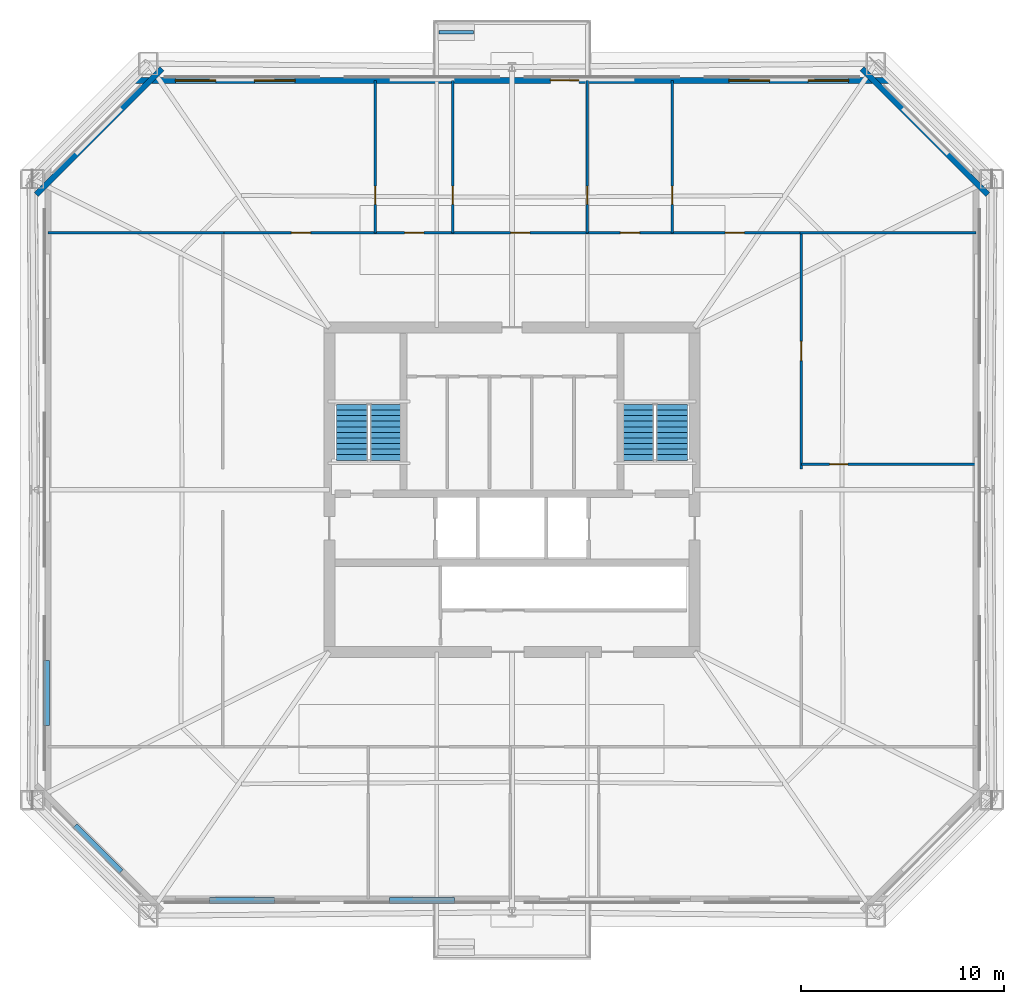
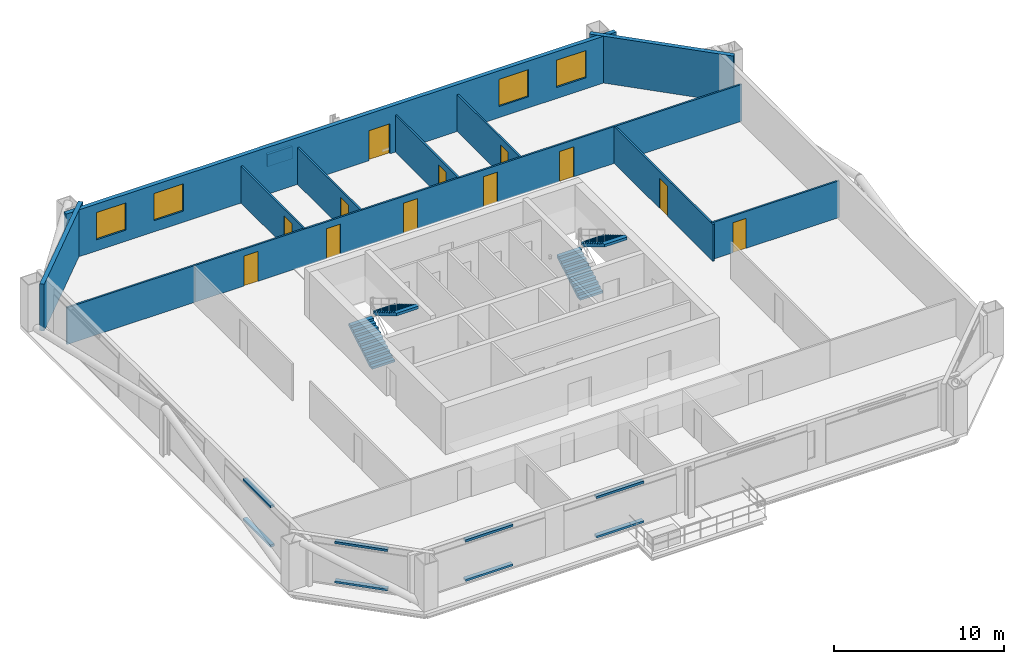
# One storey, part 4 of 7: 13 walls, 12 doors, 8 discrete accessories, 4 stair flights, 4 windows, 16 openings, 2 elements without a shape of their own.
"""IFC4 building model written with IfcOpenShell, lengths in metres."""

import ifcopenshell
import ifcopenshell.guid

model = None  # the IFC model being written
_history = None  # IfcOwnerHistory: only IFC2X3 demands one
_inside = {}  # id of a spatial element -> (the spatial element, [elements in it])
_under = {}  # id of a project, library or spatial element -> (it, [spatial elements below it])
_declared = {}  # id of a project -> (the project, [libraries it declares])
_typed = {}  # id of a type object -> (the type object, [elements of that type])
_made_of = {}  # id of a material, layer set ... -> (it, [elements and type objects made of it])


def new_model(schema):
    """Start an empty IFC model of exactly this schema.

    Asked for "IFC4X3", IfcOpenShell would pick the latest addendum, in which some entities
    have other attributes; the version numbers below select the first issue.
    IFC2X3 requires an IfcOwnerHistory on every rooted entity: one is made here for all.
    """
    global model, _history
    if schema == "IFC4X3":
        model = ifcopenshell.file(schema_version=(4, 3, 0, 0))
    else:
        model = ifcopenshell.file(schema=schema)
    _inside.clear()
    _under.clear()
    _declared.clear()
    _typed.clear()
    _made_of.clear()
    _history = None
    if model.schema == "IFC2X3":
        org = make("IfcOrganization", Name="unknown")
        user = make(
            "IfcPersonAndOrganization",
            ThePerson=make("IfcPerson", FamilyName="unknown"),
            TheOrganization=org,
        )
        app = make(
            "IfcApplication",
            ApplicationDeveloper=org,
            Version="unknown",
            ApplicationFullName="unknown",
            ApplicationIdentifier="unknown",
        )
        _history = make(
            "IfcOwnerHistory",
            OwningUser=user,
            OwningApplication=app,
            ChangeAction="ADDED",
            CreationDate=0,
        )
    return model


def make(cls, **values):
    """One entity of the class cls with the attributes given. An attribute that is None is left unset."""
    return model.create_entity(
        cls, **{name: value for name, value in values.items() if value is not None}
    )


def rooted(cls, **values):
    """An entity with a GlobalId (a new one), such as an element, a storey or a relation."""
    return make(cls, GlobalId=ifcopenshell.guid.new(), OwnerHistory=_history, **values)


def si_unit(unit_type, name, prefix=None):
    """IfcSIUnit, for example si_unit("LENGTHUNIT", "METRE", prefix="MILLI")."""
    return make("IfcSIUnit", UnitType=unit_type, Prefix=prefix, Name=name)


def assignment(units):
    """IfcUnitAssignment: the units of a project."""
    return None if units is None else make("IfcUnitAssignment", Units=units)


def point(xyz):
    """IfcCartesianPoint."""
    return None if xyz is None else make("IfcCartesianPoint", Coordinates=xyz)


def direction(xyz):
    """IfcDirection."""
    return None if xyz is None else make("IfcDirection", DirectionRatios=xyz)


def frame(location, z_axis=None, x_axis=None):
    """IfcAxis2Placement3D, a coordinate frame: its origin and axes. An axis left out is left unset."""
    return make(
        "IfcAxis2Placement3D",
        Location=point(location),
        Axis=direction(z_axis),
        RefDirection=direction(x_axis),
    )


def frame_2d(location, x_axis=None):
    """IfcAxis2Placement2D, a coordinate frame in the plane: its origin and x axis."""
    return make(
        "IfcAxis2Placement2D", Location=point(location), RefDirection=direction(x_axis)
    )


def origin():
    """The frame at (0, 0, 0) with its axes left unset."""
    return frame((0.0, 0.0, 0.0))


def origin_2d():
    """The frame at (0, 0) in the plane with its x axis left unset."""
    return frame_2d((0.0, 0.0))


def place(relative_to, where):
    """IfcLocalPlacement: puts the frame where relative to a parent placement (None: the world)."""
    return make(
        "IfcLocalPlacement", PlacementRelTo=relative_to, RelativePlacement=where
    )


def context(
    kind, dimensions, precision=None, world=None, true_north=None, identifier=None
):
    """IfcGeometricRepresentationContext, for example the 3D "Model" context."""
    return make(
        "IfcGeometricRepresentationContext",
        ContextIdentifier=identifier,
        ContextType=kind,
        CoordinateSpaceDimension=dimensions,
        Precision=precision,
        WorldCoordinateSystem=world,
        TrueNorth=true_north,
    )


def subcontext(parent, identifier, kind, view, scale=None):
    """IfcGeometricRepresentationSubContext, for example "Body" below "Model"."""
    return make(
        "IfcGeometricRepresentationSubContext",
        ContextIdentifier=identifier,
        ContextType=kind,
        ParentContext=parent,
        TargetScale=scale,
        TargetView=view,
    )


def project(units=None, contexts=None):
    """IfcProject with its units and contexts."""
    return rooted(
        "IfcProject",
        Name="project",
        RepresentationContexts=contexts,
        UnitsInContext=assignment(units),
    )


def spatial(cls, under=None, at=None, **own):
    """A site, building, storey or space (cls), placed at a placement, below another one or the project."""
    s = rooted(cls, ObjectPlacement=at, **own)
    if under is not None:
        _under.setdefault(under.id(), (under, []))[1].append(s)
    return s


def polyline(points):
    """IfcPolyline through the points."""
    return make("IfcPolyline", Points=[point(p) for p in points])


def profile(cls, at=None, kind="AREA", **sizes):
    """A parametric profile (cls). Its sizes go by their IFC names, for example OverallWidth=200.0."""
    return make(cls, ProfileType=kind, Position=at, **sizes)


def rectangle(**sizes):
    """IfcRectangleProfileDef."""
    return profile("IfcRectangleProfileDef", **sizes)


def outline(outer, holes=None, kind="AREA"):
    """IfcArbitraryClosedProfileDef: a profile drawn as a closed curve; with holes, ...WithVoids."""
    if holes is None:
        return make("IfcArbitraryClosedProfileDef", ProfileType=kind, OuterCurve=outer)
    return make(
        "IfcArbitraryProfileDefWithVoids",
        ProfileType=kind,
        OuterCurve=outer,
        InnerCurves=holes,
    )


def extrude(swept, where, along, depth):
    """IfcExtrudedAreaSolid: the profile swept, set in the frame where, extruded along a direction by depth."""
    return make(
        "IfcExtrudedAreaSolid",
        SweptArea=swept,
        Position=where,
        ExtrudedDirection=direction(along),
        Depth=depth,
    )


def shape(context_of_items, identifier, shape_type, items):
    """IfcShapeRepresentation: the items that make up one representation, for example the "Body"."""
    return make(
        "IfcShapeRepresentation",
        ContextOfItems=context_of_items,
        RepresentationIdentifier=identifier,
        RepresentationType=shape_type,
        Items=items,
    )


def material(Name=None, Category=None):
    """IfcMaterial."""
    return make("IfcMaterial", Name=Name, Category=Category)


def layer(
    of_material, thickness, ventilated=None, Name=None, Category=None, Priority=None
):
    """IfcMaterialLayer: one layer of a wall or slab, of a material (None: an air gap)."""
    return make(
        "IfcMaterialLayer",
        Material=of_material,
        LayerThickness=thickness,
        IsVentilated=ventilated,
        Name=Name,
        Category=Category,
        Priority=Priority,
    )


def layer_set(layers, Name=None):
    """IfcMaterialLayerSet."""
    return make("IfcMaterialLayerSet", MaterialLayers=layers, LayerSetName=Name)


def made_of(thing, what):
    """Note that an element or type object is made of a material, layer set ...; save() writes the relation."""
    if what is not None:
        _made_of.setdefault(what.id(), (what, []))[1].append(thing)
    return thing


def type_object(cls, material=None, **own):
    """A type object (cls), such as IfcWallType, which elements share."""
    return made_of(rooted(cls, **own), material)


def element(
    cls,
    number,
    at=None,
    inside=None,
    cuts=None,
    type_object=None,
    material=None,
    context=None,
    identifier="Body",
    shape_type=None,
    held_by="IfcProductDefinitionShape",
    body=None,
    shapes=None,
    **own,
):
    """One element of the class cls, such as IfcWall. Its Tag is "e" and its number.

    at: its placement. inside: the storey or other place that contains it. cuts: it is an
    opening in that element (IfcRelVoidsElement). A single representation is given by context,
    identifier, shape_type and body (its items); several are given by shapes. held_by: the class
    of the entity that holds the representations. save() writes the other relations.
    """
    e = rooted(cls, Tag="e%d" % number, ObjectPlacement=at, **own)
    if body is not None:
        shapes = [shape(context, identifier, shape_type, body)]
    if shapes is not None:
        e.Representation = make(held_by, Representations=shapes)
    if inside is not None:
        _inside.setdefault(inside.id(), (inside, []))[1].append(e)
    if cuts is not None:
        rooted(
            "IfcRelVoidsElement", RelatingBuildingElement=cuts, RelatedOpeningElement=e
        )
    if type_object is not None:
        _typed.setdefault(type_object.id(), (type_object, []))[1].append(e)
    return made_of(e, material)


def fill(opening, filler):
    """IfcRelFillsElement: the door or window that sits in an opening."""
    return rooted(
        "IfcRelFillsElement",
        RelatingOpeningElement=opening,
        RelatedBuildingElement=filler,
    )


def aggregate(whole, parts):
    """IfcRelAggregates: a whole, such as a stair, and the parts it consists of."""
    return rooted("IfcRelAggregates", RelatingObject=whole, RelatedObjects=parts)


def save(model, path):
    """Write the relations noted so far, then the file.

    IfcRelAggregates (storeys below a building ...), IfcRelContainedInSpatialStructure (elements
    in a storey), IfcRelDefinesByType, IfcRelAssociatesMaterial and IfcRelDeclares: one each for
    every whole, place, type object, material and project.
    """
    for whole, parts in _under.values():
        aggregate(whole, parts)
    for where, things in _inside.values():
        rooted(
            "IfcRelContainedInSpatialStructure",
            RelatedElements=things,
            RelatingStructure=where,
        )
    for kind, things in _typed.values():
        rooted("IfcRelDefinesByType", RelatedObjects=things, RelatingType=kind)
    for what, things in _made_of.values():
        rooted("IfcRelAssociatesMaterial", RelatedObjects=things, RelatingMaterial=what)
    for by, libraries in _declared.values():
        rooted("IfcRelDeclares", RelatingContext=by, RelatedDefinitions=libraries)
    model.write(path)


model = new_model("IFC4")

# Units and contexts
model_context = context("Model", 3, precision=1e-05, world=origin(), true_north=direction((0.0, 1.0)))
body_context = subcontext(model_context, "Body", "Model", "MODEL_VIEW")
ifc_project = project(units=[si_unit("LENGTHUNIT", "METRE"), si_unit("AREAUNIT", "SQUARE_METRE"), si_unit("VOLUMEUNIT", "CUBIC_METRE"), si_unit("PLANEANGLEUNIT", "RADIAN"), si_unit("MASSUNIT", "GRAM", prefix="KILO")], contexts=[model_context])

# Site, building, storey
site_placement = place(None, origin())
site = spatial("IfcSite", under=ifc_project, at=site_placement, CompositionType="ELEMENT")
building_placement = place(site_placement, origin())
building = spatial("IfcBuilding", under=site, at=building_placement, Name="Caelvoria Tower", CompositionType="ELEMENT")
storey_placement = place(building_placement, frame((0.0, 0.0, 106.0)))
storey = spatial("IfcBuildingStorey", under=building, at=storey_placement, Name="L27", CompositionType="ELEMENT", Elevation=106.0)

# Walls
ifc_material_1 = material(Name="Bronze-Clad Concrete C40/50", Category="concrete")
ifc_layer_1 = layer(ifc_material_1, 0.179931640625, Name="Bronze-Clad Concrete C40/50")
ifc_layer_set_1 = layer_set([ifc_layer_1], Name="Architectural Planter Kerb Wall 180 - Bronze-Clad Concrete C40/50")
wall_type_1 = type_object("IfcWallType", Name="Architectural Planter Kerb Wall 180", PredefinedType="PARAPET", material=ifc_layer_set_1)
wall_1_placement = place(storey_placement, frame((42.39990234375, 54.550048828125, 0.0), z_axis=(0.0, 0.0, 1.0), x_axis=(1.0, 0.0, 0.0)))
element("IfcWall", 1, at=wall_1_placement, inside=storey, type_object=wall_type_1, Name="Tree Balcony Planter Kerb PLANTER TB-L27-N", PredefinedType="PARAPET", context=body_context, shape_type="SweptSolid", body=[
    extrude(rectangle(XDim=1.7001953125, YDim=0.179931640625, at=frame_2d((0.85009765625, 0.0))), origin(), (0.0, 0.0, 1.0), 0.8798828125),
])
ifc_material_2 = material(Name="Precast Concrete C40/50 with Bronze Cladding", Category="concrete")
ifc_layer_2 = layer(ifc_material_2, 0.280029296875, Name="Precast Concrete C40/50 with Bronze Cladding")
ifc_layer_set_2 = layer_set([ifc_layer_2], Name="Exterior Precast Concrete C40/50 Bronze-Clad Facade Wall 280 - Precast Concrete C40/50 with Bronze Cladding")
wall_type_2 = type_object("IfcWallType", Name="Exterior Precast Concrete C40/50 Bronze-Clad Facade Wall 280", PredefinedType="STANDARD", material=ifc_layer_set_2)
wall_2_placement = place(storey_placement, frame((69.44384765625, 46.554443359375, 0.0), z_axis=(0.0, 0.0, 1.0), x_axis=(-0.707106781187, 0.707106781187, 0.0)))
element("IfcWall", 2, at=wall_2_placement, inside=storey, type_object=wall_type_2, Name="Exterior Facade Wall L27-E3", PredefinedType="STANDARD", context=body_context, shape_type="SweptSolid", body=[
    extrude(rectangle(XDim=8.753173828125, YDim=0.280029296875, at=frame_2d((4.37646484375, 0.0))), origin(), (0.0, 0.0, 1.0), 3.360107421875),
])

# Wall, openings, windows, door
wall_3_placement = place(storey_placement, frame((64.639892578125, 52.169921875, 0.0), z_axis=(0.0, 0.0, 1.0), x_axis=(-1.0, 0.0, 0.0)))
wall_3 = element("IfcWall", 3, at=wall_3_placement, inside=storey, type_object=wall_type_2, Name="Exterior Facade Wall L27-E4", PredefinedType="STANDARD", context=body_context, shape_type="SweptSolid", body=[
    extrude(rectangle(XDim=37.27978515625, YDim=0.280029296875, at=frame_2d((18.639892578125, 0.0))), origin(), (0.0, 0.0, 1.0), 3.360107421875),
])
opening_1_placement = place(wall_3_placement, frame((15.347412109375, 0.0, 0.0)))
opening_1 = element("IfcOpeningElement", 4, at=opening_1_placement, cuts=wall_3, Name="Opening ED-04", PredefinedType="OPENING", context=body_context, shape_type="SweptSolid", body=[
    extrude(rectangle(XDim=1.39990234375, YDim=2.14990234375, at=frame_2d((0.699951171875, 1.074951171875))), frame((0.0, 0.14990234375, 0.0), z_axis=(0.0, -1.0, 0.0), x_axis=(1.0, 0.0, 0.0)), (0.0, 0.0, 1.0), 0.300048828125),
])
opening_2_placement = place(wall_3_placement, frame((2.048828125, 0.0, 0.800048828125)))
opening_2 = element("IfcOpeningElement", 5, at=opening_2_placement, cuts=wall_3, Name="Opening WN-01", PredefinedType="OPENING", context=body_context, shape_type="SweptSolid", body=[
    extrude(rectangle(XDim=2.0, YDim=1.949951171875, at=frame_2d((1.0, 0.97509765625))), frame((0.0, 0.14990234375, 0.0), z_axis=(0.0, -1.0, 0.0), x_axis=(1.0, 0.0, 0.0)), (0.0, 0.0, 1.0), 0.300048828125),
])
opening_3_placement = place(wall_3_placement, frame((5.94677734375, 0.0, 0.800048828125)))
opening_3 = element("IfcOpeningElement", 6, at=opening_3_placement, cuts=wall_3, Name="Opening WN-01", PredefinedType="OPENING", context=body_context, shape_type="SweptSolid", body=[
    extrude(rectangle(XDim=2.0, YDim=1.949951171875, at=frame_2d((1.0, 0.97509765625))), frame((0.0, 0.14990234375, 0.0), z_axis=(0.0, -1.0, 0.0), x_axis=(1.0, 0.0, 0.0)), (0.0, 0.0, 1.0), 0.300048828125),
])
opening_4_placement = place(wall_3_placement, frame((29.333251953125, 0.0, 0.800048828125)))
opening_4 = element("IfcOpeningElement", 7, at=opening_4_placement, cuts=wall_3, Name="Opening WN-01", PredefinedType="OPENING", context=body_context, shape_type="SweptSolid", body=[
    extrude(rectangle(XDim=2.0, YDim=1.949951171875, at=frame_2d((1.0, 0.97509765625))), frame((0.0, 0.14990234375, 0.0), z_axis=(0.0, -1.0, 0.0), x_axis=(1.0, 0.0, 0.0)), (0.0, 0.0, 1.0), 0.300048828125),
])
opening_5_placement = place(wall_3_placement, frame((33.231201171875, 0.0, 0.800048828125)))
opening_5 = element("IfcOpeningElement", 8, at=opening_5_placement, cuts=wall_3, Name="Opening WN-01", PredefinedType="OPENING", context=body_context, shape_type="SweptSolid", body=[
    extrude(rectangle(XDim=2.0, YDim=1.949951171875, at=frame_2d((1.0, 0.97509765625))), frame((0.0, 0.14990234375, 0.0), z_axis=(0.0, -1.0, 0.0), x_axis=(1.0, 0.0, 0.0)), (0.0, 0.0, 1.0), 0.300048828125),
])
ifc_material_3 = material(Name="Low-E Tinted Glass in Bronze Aluminium Frame", Category="aluminium")
window_type = type_object("IfcWindowType", Name="Tower Office Vision Window 2000x1950", PartitioningType="SINGLE_PANEL", PredefinedType="WINDOW", material=ifc_material_3)
window_1_placement = place(opening_2_placement, origin())
window_1 = element("IfcWindow", 9, at=window_1_placement, inside=storey, type_object=window_type, Name="Facade Window L27-E4-00", OverallHeight=1.949951171875, OverallWidth=2.0, PartitioningType="SINGLE_PANEL", PredefinedType="WINDOW", context=body_context, shape_type="SweptSolid", body=[
    extrude(rectangle(XDim=2.0, YDim=1.949951171875, at=frame_2d((1.0, 0.97509765625))), frame((0.0, 0.030029296875, 0.0), z_axis=(0.0, -1.0, 0.0), x_axis=(1.0, 0.0, 0.0)), (0.0, 0.0, 1.0), 0.06005859375),
])
fill(opening_2, window_1)
window_2_placement = place(opening_3_placement, origin())
window_2 = element("IfcWindow", 10, at=window_2_placement, inside=storey, type_object=window_type, Name="Facade Window L27-E4-01", OverallHeight=1.949951171875, OverallWidth=2.0, PartitioningType="SINGLE_PANEL", PredefinedType="WINDOW", context=body_context, shape_type="SweptSolid", body=[
    extrude(rectangle(XDim=2.0, YDim=1.949951171875, at=frame_2d((1.0, 0.97509765625))), frame((0.0, 0.030029296875, 0.0), z_axis=(0.0, -1.0, 0.0), x_axis=(1.0, 0.0, 0.0)), (0.0, 0.0, 1.0), 0.06005859375),
])
fill(opening_3, window_2)
window_3_placement = place(opening_4_placement, origin())
window_3 = element("IfcWindow", 11, at=window_3_placement, inside=storey, type_object=window_type, Name="Facade Window L27-E4-07", OverallHeight=1.949951171875, OverallWidth=2.0, PartitioningType="SINGLE_PANEL", PredefinedType="WINDOW", context=body_context, shape_type="SweptSolid", body=[
    extrude(rectangle(XDim=2.0, YDim=1.949951171875, at=frame_2d((1.0, 0.97509765625))), frame((0.0, 0.030029296875, 0.0), z_axis=(0.0, -1.0, 0.0), x_axis=(1.0, 0.0, 0.0)), (0.0, 0.0, 1.0), 0.06005859375),
])
fill(opening_4, window_3)
window_4_placement = place(opening_5_placement, origin())
window_4 = element("IfcWindow", 12, at=window_4_placement, inside=storey, type_object=window_type, Name="Facade Window L27-E4-08", OverallHeight=1.949951171875, OverallWidth=2.0, PartitioningType="SINGLE_PANEL", PredefinedType="WINDOW", context=body_context, shape_type="SweptSolid", body=[
    extrude(rectangle(XDim=2.0, YDim=1.949951171875, at=frame_2d((1.0, 0.97509765625))), frame((0.0, 0.030029296875, 0.0), z_axis=(0.0, -1.0, 0.0), x_axis=(1.0, 0.0, 0.0)), (0.0, 0.0, 1.0), 0.06005859375),
])
fill(opening_5, window_4)
ifc_material_4 = material(Name="Anodised Bronze Aluminium and Laminated Glass", Category="aluminium")
door_type_1 = type_object("IfcDoorType", Name="Tree Balcony Glazed Door 1400x2150", OperationType="NOTDEFINED", PredefinedType="DOOR", material=ifc_material_4)
door_1_placement = place(opening_1_placement, origin())
door_1 = element("IfcDoor", 13, at=door_1_placement, inside=storey, type_object=door_type_1, Name="Tree Balcony Door L27-N", OperationType="SINGLE_SWING_RIGHT", OverallHeight=2.14990234375, OverallWidth=1.39990234375, PredefinedType="DOOR", context=body_context, shape_type="SweptSolid", body=[
    extrude(rectangle(XDim=1.39990234375, YDim=2.14990234375, at=frame_2d((0.699951171875, 1.074951171875))), frame((0.0, 0.02490234375, 0.0), z_axis=(0.0, -1.0, 0.0), x_axis=(1.0, 0.0, 0.0)), (0.0, 0.0, 1.0), 0.050048828125),
])
fill(opening_1, door_1)

# Wall
wall_4_placement = place(storey_placement, frame((28.74560546875, 52.743896484375, 0.0), z_axis=(0.0, 0.0, 1.0), x_axis=(-0.707106781187, -0.707106781187, 0.0)))
element("IfcWall", 14, at=wall_4_placement, inside=storey, type_object=wall_type_2, Name="Exterior Facade Wall L27-E5", PredefinedType="STANDARD", context=body_context, shape_type="SweptSolid", body=[
    extrude(rectangle(XDim=8.753173828125, YDim=0.280029296875, at=frame_2d((4.37646484375, 0.0))), origin(), (0.0, 0.0, 1.0), 3.360107421875),
])

# Wall, opening, door
ifc_material_5 = material(Name="Acoustic Gypsum Board on Light-Gauge Stud", Category="gypsum")
ifc_layer_3 = layer(ifc_material_5, 0.1201171875, Name="Acoustic Gypsum Board on Light-Gauge Stud")
ifc_layer_set_3 = layer_set([ifc_layer_3], Name="Tenant Suite Acoustic Partition Wall 120 - Acoustic Gypsum Board on Light-Gauge Stud")
wall_type_3 = type_object("IfcWallType", Name="Tenant Suite Acoustic Partition Wall 120", PredefinedType="PARTITIONING", material=ifc_layer_set_3)
wall_5_placement = place(storey_placement, frame((39.265625, 44.659912109375, 0.0), z_axis=(0.0, 0.0, 1.0), x_axis=(0.0, 1.0, 0.0)))
wall_5 = element("IfcWall", 15, at=wall_5_placement, inside=storey, type_object=wall_type_3, Name="Interior Partition IW-L27-ND-00-0", PredefinedType="PARTITIONING", context=body_context, shape_type="SweptSolid", body=[
    extrude(rectangle(XDim=7.510009765625, YDim=0.1201171875, at=frame_2d((3.7548828125, 0.0))), origin(), (0.0, 0.0, 1.0), 2.639892578125),
])
opening_6_placement = place(wall_5_placement, frame((1.39990234375, 0.0, 0.0)))
opening_6 = element("IfcOpeningElement", 16, at=opening_6_placement, cuts=wall_5, Name="Opening ID-06", PredefinedType="OPENING", context=body_context, shape_type="SweptSolid", body=[
    extrude(rectangle(XDim=0.89990234375, YDim=2.14990234375, at=frame_2d((0.449951171875, 1.074951171875))), frame((0.0, 0.070068359375, 0.0), z_axis=(0.0, -1.0, 0.0), x_axis=(1.0, 0.0, 0.0)), (0.0, 0.0, 1.0), 0.14013671875),
])
ifc_material_6 = material(Name="Engineered Andean Oak Veneer Door", Category="wood")
door_type_2 = type_object("IfcDoorType", Name="Interior Timber Door 900x2150", OperationType="NOTDEFINED", PredefinedType="DOOR", material=ifc_material_6)
door_2_placement = place(opening_6_placement, origin())
door_2 = element("IfcDoor", 17, at=door_2_placement, inside=storey, type_object=door_type_2, Name="Interior Door DR-L27-NM-00-0", OperationType="SINGLE_SWING_RIGHT", OverallHeight=2.14990234375, OverallWidth=0.89990234375, PredefinedType="DOOR", context=body_context, shape_type="SweptSolid", body=[
    extrude(rectangle(XDim=0.89990234375, YDim=2.14990234375, at=frame_2d((0.449951171875, 1.074951171875))), frame((0.0, 0.02490234375, 0.0), z_axis=(0.0, -1.0, 0.0), x_axis=(1.0, 0.0, 0.0)), (0.0, 0.0, 1.0), 0.050048828125),
])
fill(opening_6, door_2)

wall_6_placement = place(storey_placement, frame((43.087158203125, 44.659912109375, 0.0), z_axis=(0.0, 0.0, 1.0), x_axis=(0.0, 1.0, 0.0)))
wall_6 = element("IfcWall", 18, at=wall_6_placement, inside=storey, type_object=wall_type_3, Name="Interior Partition IW-L27-ND-01-0", PredefinedType="PARTITIONING", context=body_context, shape_type="SweptSolid", body=[
    extrude(rectangle(XDim=7.510009765625, YDim=0.1201171875, at=frame_2d((3.7548828125, 0.0))), origin(), (0.0, 0.0, 1.0), 2.639892578125),
])
opening_7_placement = place(wall_6_placement, frame((1.39990234375, 0.0, 0.0)))
opening_7 = element("IfcOpeningElement", 19, at=opening_7_placement, cuts=wall_6, Name="Opening ID-06", PredefinedType="OPENING", context=body_context, shape_type="SweptSolid", body=[
    extrude(rectangle(XDim=0.89990234375, YDim=2.14990234375, at=frame_2d((0.449951171875, 1.074951171875))), frame((0.0, 0.070068359375, 0.0), z_axis=(0.0, -1.0, 0.0), x_axis=(1.0, 0.0, 0.0)), (0.0, 0.0, 1.0), 0.14013671875),
])
door_3_placement = place(opening_7_placement, origin())
door_3 = element("IfcDoor", 20, at=door_3_placement, inside=storey, type_object=door_type_2, Name="Interior Door DR-L27-NM-01-0", OperationType="SINGLE_SWING_LEFT", OverallHeight=2.14990234375, OverallWidth=0.89990234375, PredefinedType="DOOR", context=body_context, shape_type="SweptSolid", body=[
    extrude(rectangle(XDim=0.89990234375, YDim=2.14990234375, at=frame_2d((0.449951171875, 1.074951171875))), frame((0.0, 0.02490234375, 0.0), z_axis=(0.0, -1.0, 0.0), x_axis=(1.0, 0.0, 0.0)), (0.0, 0.0, 1.0), 0.050048828125),
])
fill(opening_7, door_3)

wall_7_placement = place(storey_placement, frame((49.716796875, 44.659912109375, 0.0), z_axis=(0.0, 0.0, 1.0), x_axis=(0.0, 1.0, 0.0)))
wall_7 = element("IfcWall", 21, at=wall_7_placement, inside=storey, type_object=wall_type_3, Name="Interior Partition IW-L27-ND-02-0", PredefinedType="PARTITIONING", context=body_context, shape_type="SweptSolid", body=[
    extrude(rectangle(XDim=7.510009765625, YDim=0.1201171875, at=frame_2d((3.7548828125, 0.0))), origin(), (0.0, 0.0, 1.0), 2.639892578125),
])
opening_8_placement = place(wall_7_placement, frame((1.39990234375, 0.0, 0.0)))
opening_8 = element("IfcOpeningElement", 22, at=opening_8_placement, cuts=wall_7, Name="Opening ID-06", PredefinedType="OPENING", context=body_context, shape_type="SweptSolid", body=[
    extrude(rectangle(XDim=0.89990234375, YDim=2.14990234375, at=frame_2d((0.449951171875, 1.074951171875))), frame((0.0, 0.070068359375, 0.0), z_axis=(0.0, -1.0, 0.0), x_axis=(1.0, 0.0, 0.0)), (0.0, 0.0, 1.0), 0.14013671875),
])
door_4_placement = place(opening_8_placement, origin())
door_4 = element("IfcDoor", 23, at=door_4_placement, inside=storey, type_object=door_type_2, Name="Interior Door DR-L27-NM-02-0", OperationType="SINGLE_SWING_RIGHT", OverallHeight=2.14990234375, OverallWidth=0.89990234375, PredefinedType="DOOR", context=body_context, shape_type="SweptSolid", body=[
    extrude(rectangle(XDim=0.89990234375, YDim=2.14990234375, at=frame_2d((0.449951171875, 1.074951171875))), frame((0.0, 0.02490234375, 0.0), z_axis=(0.0, -1.0, 0.0), x_axis=(1.0, 0.0, 0.0)), (0.0, 0.0, 1.0), 0.050048828125),
])
fill(opening_8, door_4)

wall_8_placement = place(storey_placement, frame((53.906494140625, 44.659912109375, 0.0), z_axis=(0.0, 0.0, 1.0), x_axis=(0.0, 1.0, 0.0)))
wall_8 = element("IfcWall", 24, at=wall_8_placement, inside=storey, type_object=wall_type_3, Name="Interior Partition IW-L27-ND-03-0", PredefinedType="PARTITIONING", context=body_context, shape_type="SweptSolid", body=[
    extrude(rectangle(XDim=7.510009765625, YDim=0.1201171875, at=frame_2d((3.7548828125, 0.0))), origin(), (0.0, 0.0, 1.0), 2.639892578125),
])
opening_9_placement = place(wall_8_placement, frame((1.39990234375, 0.0, 0.0)))
opening_9 = element("IfcOpeningElement", 25, at=opening_9_placement, cuts=wall_8, Name="Opening ID-06", PredefinedType="OPENING", context=body_context, shape_type="SweptSolid", body=[
    extrude(rectangle(XDim=0.89990234375, YDim=2.14990234375, at=frame_2d((0.449951171875, 1.074951171875))), frame((0.0, 0.070068359375, 0.0), z_axis=(0.0, -1.0, 0.0), x_axis=(1.0, 0.0, 0.0)), (0.0, 0.0, 1.0), 0.14013671875),
])
door_5_placement = place(opening_9_placement, origin())
door_5 = element("IfcDoor", 26, at=door_5_placement, inside=storey, type_object=door_type_2, Name="Interior Door DR-L27-NM-03-0", OperationType="SINGLE_SWING_LEFT", OverallHeight=2.14990234375, OverallWidth=0.89990234375, PredefinedType="DOOR", context=body_context, shape_type="SweptSolid", body=[
    extrude(rectangle(XDim=0.89990234375, YDim=2.14990234375, at=frame_2d((0.449951171875, 1.074951171875))), frame((0.0, 0.02490234375, 0.0), z_axis=(0.0, -1.0, 0.0), x_axis=(1.0, 0.0, 0.0)), (0.0, 0.0, 1.0), 0.050048828125),
])
fill(opening_9, door_5)

# Wall, openings, doors
wall_9_placement = place(storey_placement, frame((31.800048828125, 44.659912109375, 0.0), z_axis=(0.0, 0.0, 1.0), x_axis=(1.0, 0.0, 0.0)))
wall_9 = element("IfcWall", 27, at=wall_9_placement, inside=storey, type_object=wall_type_3, Name="Interior Partition IW-L27-NCW-0", PredefinedType="PARTITIONING", context=body_context, shape_type="SweptSolid", body=[
    extrude(rectangle(XDim=28.39990234375, YDim=0.1201171875, at=frame_2d((14.199951171875, 0.0))), origin(), (0.0, 0.0, 1.0), 2.639892578125),
])
opening_10_placement = place(wall_9_placement, frame((3.327880859375, 0.0, 0.0)))
opening_10 = element("IfcOpeningElement", 28, at=opening_10_placement, cuts=wall_9, Name="Opening ID-05", PredefinedType="OPENING", context=body_context, shape_type="SweptSolid", body=[
    extrude(rectangle(XDim=0.949951171875, YDim=2.14990234375, at=frame_2d((0.47509765625, 1.074951171875))), frame((0.0, 0.070068359375, 0.0), z_axis=(0.0, -1.0, 0.0), x_axis=(1.0, 0.0, 0.0)), (0.0, 0.0, 1.0), 0.14013671875),
])
opening_11_placement = place(wall_9_placement, frame((8.9013671875, 0.0, 0.0)))
opening_11 = element("IfcOpeningElement", 29, at=opening_11_placement, cuts=wall_9, Name="Opening ID-05", PredefinedType="OPENING", context=body_context, shape_type="SweptSolid", body=[
    extrude(rectangle(XDim=0.949951171875, YDim=2.14990234375, at=frame_2d((0.47509765625, 1.074951171875))), frame((0.0, 0.070068359375, 0.0), z_axis=(0.0, -1.0, 0.0), x_axis=(1.0, 0.0, 0.0)), (0.0, 0.0, 1.0), 0.14013671875),
])
opening_12_placement = place(wall_9_placement, frame((14.126953125, 0.0, 0.0)))
opening_12 = element("IfcOpeningElement", 30, at=opening_12_placement, cuts=wall_9, Name="Opening ID-05", PredefinedType="OPENING", context=body_context, shape_type="SweptSolid", body=[
    extrude(rectangle(XDim=0.949951171875, YDim=2.14990234375, at=frame_2d((0.47509765625, 1.074951171875))), frame((0.0, 0.070068359375, 0.0), z_axis=(0.0, -1.0, 0.0), x_axis=(1.0, 0.0, 0.0)), (0.0, 0.0, 1.0), 0.14013671875),
])
opening_13_placement = place(wall_9_placement, frame((19.536865234375, 0.0, 0.0)))
opening_13 = element("IfcOpeningElement", 31, at=opening_13_placement, cuts=wall_9, Name="Opening ID-05", PredefinedType="OPENING", context=body_context, shape_type="SweptSolid", body=[
    extrude(rectangle(XDim=0.949951171875, YDim=2.14990234375, at=frame_2d((0.47509765625, 1.074951171875))), frame((0.0, 0.070068359375, 0.0), z_axis=(0.0, -1.0, 0.0), x_axis=(1.0, 0.0, 0.0)), (0.0, 0.0, 1.0), 0.14013671875),
])
opening_14_placement = place(wall_9_placement, frame((24.708251953125, 0.0, 0.0)))
opening_14 = element("IfcOpeningElement", 32, at=opening_14_placement, cuts=wall_9, Name="Opening ID-05", PredefinedType="OPENING", context=body_context, shape_type="SweptSolid", body=[
    extrude(rectangle(XDim=0.949951171875, YDim=2.14990234375, at=frame_2d((0.47509765625, 1.074951171875))), frame((0.0, 0.070068359375, 0.0), z_axis=(0.0, -1.0, 0.0), x_axis=(1.0, 0.0, 0.0)), (0.0, 0.0, 1.0), 0.14013671875),
])
door_type_3 = type_object("IfcDoorType", Name="Interior Timber Door 950x2150", OperationType="NOTDEFINED", PredefinedType="DOOR", material=ifc_material_6)
door_6_placement = place(opening_10_placement, origin())
door_6 = element("IfcDoor", 33, at=door_6_placement, inside=storey, type_object=door_type_3, Name="Interior Door DR-L27-NC-00-0", OperationType="SINGLE_SWING_RIGHT", OverallHeight=2.14990234375, OverallWidth=0.949951171875, PredefinedType="DOOR", context=body_context, shape_type="SweptSolid", body=[
    extrude(rectangle(XDim=0.949951171875, YDim=2.14990234375, at=frame_2d((0.47509765625, 1.074951171875))), frame((0.0, 0.02490234375, 0.0), z_axis=(0.0, -1.0, 0.0), x_axis=(1.0, 0.0, 0.0)), (0.0, 0.0, 1.0), 0.050048828125),
])
fill(opening_10, door_6)
door_7_placement = place(opening_11_placement, origin())
door_7 = element("IfcDoor", 34, at=door_7_placement, inside=storey, type_object=door_type_3, Name="Interior Door DR-L27-NC-01-0", OperationType="SINGLE_SWING_LEFT", OverallHeight=2.14990234375, OverallWidth=0.949951171875, PredefinedType="DOOR", context=body_context, shape_type="SweptSolid", body=[
    extrude(rectangle(XDim=0.949951171875, YDim=2.14990234375, at=frame_2d((0.47509765625, 1.074951171875))), frame((0.0, 0.02490234375, 0.0), z_axis=(0.0, -1.0, 0.0), x_axis=(1.0, 0.0, 0.0)), (0.0, 0.0, 1.0), 0.050048828125),
])
fill(opening_11, door_7)
door_8_placement = place(opening_12_placement, origin())
door_8 = element("IfcDoor", 35, at=door_8_placement, inside=storey, type_object=door_type_3, Name="Interior Door DR-L27-NC-02-0", OperationType="SINGLE_SWING_RIGHT", OverallHeight=2.14990234375, OverallWidth=0.949951171875, PredefinedType="DOOR", context=body_context, shape_type="SweptSolid", body=[
    extrude(rectangle(XDim=0.949951171875, YDim=2.14990234375, at=frame_2d((0.47509765625, 1.074951171875))), frame((0.0, 0.02490234375, 0.0), z_axis=(0.0, -1.0, 0.0), x_axis=(1.0, 0.0, 0.0)), (0.0, 0.0, 1.0), 0.050048828125),
])
fill(opening_12, door_8)
door_9_placement = place(opening_13_placement, origin())
door_9 = element("IfcDoor", 36, at=door_9_placement, inside=storey, type_object=door_type_3, Name="Interior Door DR-L27-NC-03-0", OperationType="SINGLE_SWING_LEFT", OverallHeight=2.14990234375, OverallWidth=0.949951171875, PredefinedType="DOOR", context=body_context, shape_type="SweptSolid", body=[
    extrude(rectangle(XDim=0.949951171875, YDim=2.14990234375, at=frame_2d((0.47509765625, 1.074951171875))), frame((0.0, 0.02490234375, 0.0), z_axis=(0.0, -1.0, 0.0), x_axis=(1.0, 0.0, 0.0)), (0.0, 0.0, 1.0), 0.050048828125),
])
fill(opening_13, door_9)
door_10_placement = place(opening_14_placement, origin())
door_10 = element("IfcDoor", 37, at=door_10_placement, inside=storey, type_object=door_type_3, Name="Interior Door DR-L27-NC-04-0", OperationType="SINGLE_SWING_RIGHT", OverallHeight=2.14990234375, OverallWidth=0.949951171875, PredefinedType="DOOR", context=body_context, shape_type="SweptSolid", body=[
    extrude(rectangle(XDim=0.949951171875, YDim=2.14990234375, at=frame_2d((0.47509765625, 1.074951171875))), frame((0.0, 0.02490234375, 0.0), z_axis=(0.0, -1.0, 0.0), x_axis=(1.0, 0.0, 0.0)), (0.0, 0.0, 1.0), 0.050048828125),
])
fill(opening_14, door_10)

# Wall, opening, door
wall_10_placement = place(storey_placement, frame((60.260009765625, 33.26416015625, 0.0), z_axis=(0.0, 0.0, 1.0), x_axis=(1.0, 0.0, 0.0)))
wall_10 = element("IfcWall", 38, at=wall_10_placement, inside=storey, type_object=wall_type_3, Name="Interior Partition IW-L27-ED-00-0", PredefinedType="PARTITIONING", context=body_context, shape_type="SweptSolid", body=[
    extrude(rectangle(XDim=8.610107421875, YDim=0.1201171875, at=frame_2d((4.30517578125, 0.0))), origin(), (0.0, 0.0, 1.0), 2.639892578125),
])
opening_15_placement = place(wall_10_placement, frame((1.39990234375, 0.0, 0.0)))
opening_15 = element("IfcOpeningElement", 39, at=opening_15_placement, cuts=wall_10, Name="Opening ID-06", PredefinedType="OPENING", context=body_context, shape_type="SweptSolid", body=[
    extrude(rectangle(XDim=0.89990234375, YDim=2.14990234375, at=frame_2d((0.449951171875, 1.074951171875))), frame((0.0, 0.070068359375, 0.0), z_axis=(0.0, -1.0, 0.0), x_axis=(1.0, 0.0, 0.0)), (0.0, 0.0, 1.0), 0.14013671875),
])
door_11_placement = place(opening_15_placement, origin())
door_11 = element("IfcDoor", 40, at=door_11_placement, inside=storey, type_object=door_type_2, Name="Interior Door DR-L27-EM-00-0", OperationType="SINGLE_SWING_RIGHT", OverallHeight=2.14990234375, OverallWidth=0.89990234375, PredefinedType="DOOR", context=body_context, shape_type="SweptSolid", body=[
    extrude(rectangle(XDim=0.89990234375, YDim=2.14990234375, at=frame_2d((0.449951171875, 1.074951171875))), frame((0.0, 0.02490234375, 0.0), z_axis=(0.0, -1.0, 0.0), x_axis=(1.0, 0.0, 0.0)), (0.0, 0.0, 1.0), 0.050048828125),
])
fill(opening_15, door_11)

wall_11_placement = place(storey_placement, frame((60.260009765625, 33.02001953125, 0.0), z_axis=(0.0, 0.0, 1.0), x_axis=(0.0, 1.0, 0.0)))
wall_11 = element("IfcWall", 41, at=wall_11_placement, inside=storey, type_object=wall_type_3, Name="Interior Partition IW-L27-ECW-1", PredefinedType="PARTITIONING", context=body_context, shape_type="SweptSolid", body=[
    extrude(rectangle(XDim=11.580078125, YDim=0.1201171875, at=frame_2d((5.7900390625, 0.0))), origin(), (0.0, 0.0, 1.0), 2.639892578125),
])
opening_16_placement = place(wall_11_placement, frame((5.3369140625, 0.0, 0.0)))
opening_16 = element("IfcOpeningElement", 42, at=opening_16_placement, cuts=wall_11, Name="Opening ID-05", PredefinedType="OPENING", context=body_context, shape_type="SweptSolid", body=[
    extrude(rectangle(XDim=0.949951171875, YDim=2.14990234375, at=frame_2d((0.47509765625, 1.074951171875))), frame((0.0, 0.070068359375, 0.0), z_axis=(0.0, -1.0, 0.0), x_axis=(1.0, 0.0, 0.0)), (0.0, 0.0, 1.0), 0.14013671875),
])
door_12_placement = place(opening_16_placement, origin())
door_12 = element("IfcDoor", 43, at=door_12_placement, inside=storey, type_object=door_type_3, Name="Interior Door DR-L27-EC-01-0", OperationType="SINGLE_SWING_LEFT", OverallHeight=2.14990234375, OverallWidth=0.949951171875, PredefinedType="DOOR", context=body_context, shape_type="SweptSolid", body=[
    extrude(rectangle(XDim=0.949951171875, YDim=2.14990234375, at=frame_2d((0.47509765625, 1.074951171875))), frame((0.0, 0.02490234375, 0.0), z_axis=(0.0, -1.0, 0.0), x_axis=(1.0, 0.0, 0.0)), (0.0, 0.0, 1.0), 0.050048828125),
])
fill(opening_16, door_12)

# Walls
for number, where, z_axis, x_axis, name in (
    (44, (31.800048828125, 44.659912109375, 0.0), (0.0, 0.0, 1.0), (-1.0, 0.0, 0.0), "Interior Partition IW-L27-BNW-0"),
    (45, (60.199951171875, 44.659912109375, 0.0), (0.0, 0.0, 1.0), (1.0, 0.0, 0.0), "Interior Partition IW-L27-BNE-0"),
):
    element("IfcWall", number, at=place(storey_placement, frame(where, z_axis=z_axis, x_axis=x_axis)), inside=storey, type_object=wall_type_3, Name=name, PredefinedType="PARTITIONING", context=body_context, shape_type="SweptSolid", body=[
        extrude(rectangle(XDim=8.670166015625, YDim=0.1201171875, at=frame_2d((4.3349609375, 0.0))), origin(), (0.0, 0.0, 1.0), 2.639892578125),
    ])

# Stair, stair flights
ifc_material_7 = material(Name="Concrete C40/50", Category="concrete")
stair_type = type_object("IfcStairType", Name="Core Smokeproof Dogleg Stair Concrete C40/50", PredefinedType="HALF_TURN_STAIR", material=ifc_material_7)
stair_1_placement = place(storey_placement, origin())
stair_1 = element("IfcStair", 46, at=stair_1_placement, inside=storey, type_object=stair_type, Name="ST-01 Smokeproof Exit Stair L27", PredefinedType="HALF_TURN_STAIR")
ifc_material_8 = material(Name="Precast Concrete C40/50", Category="concrete")
stair_flight_type = type_object("IfcStairFlightType", Name="Precast Concrete C40/50 Stair Flight 1480", PredefinedType="STRAIGHT", material=ifc_material_8)
stair_flight_1_placement = place(storey_placement, frame((38.1298828125, 33.449951171875, 0.0), z_axis=(0.0, 0.0, 1.0), x_axis=(0.0, 1.0, 0.0)))
stair_flight_1 = element("IfcStairFlight", 47, at=stair_flight_1_placement, type_object=stair_flight_type, Name="ST-01 flight 1", NumberOfRisers=11, NumberOfTreads=10, PredefinedType="STRAIGHT", RiserHeight=0.1636, TreadLength=0.275, context=body_context, shape_type="SweptSolid", body=[
    extrude(outline(polyline([(0.0, 0.0), (0.0, 0.16357421875), (0.27490234375, 0.16357421875), (0.27490234375, 0.3271484375), (0.550048828125, 0.3271484375), (0.550048828125, 0.49072265625), (0.824951171875, 0.49072265625), (0.824951171875, 0.654296875), (1.10009765625, 0.654296875), (1.10009765625, 0.818115234375), (1.375, 0.818115234375), (1.375, 0.981689453125), (1.64990234375, 0.981689453125), (1.64990234375, 1.145263671875), (1.925048828125, 1.145263671875), (1.925048828125, 1.308837890625), (2.199951171875, 1.308837890625), (2.199951171875, 1.472412109375), (2.47509765625, 1.472412109375), (2.47509765625, 1.635986328125), (2.75, 1.635986328125), (2.75, 1.799560546875), (2.75, 1.449951171875), (0.312744140625, 0.0), (0.0, 0.0)])), frame((0.0, 0.77001953125, 0.0), z_axis=(0.0, -1.0, 0.0), x_axis=(1.0, 0.0, 0.0)), (0.0, 0.0, 1.0), 1.5400390625),
])
stair_flight_2_placement = place(storey_placement, frame((39.77001953125, 36.199951171875, 1.800048828125), z_axis=(0.0, 0.0, 1.0), x_axis=(0.0, -1.0, 0.0)))
stair_flight_2 = element("IfcStairFlight", 48, at=stair_flight_2_placement, type_object=stair_flight_type, Name="ST-01 flight 2", NumberOfRisers=11, NumberOfTreads=10, PredefinedType="STRAIGHT", RiserHeight=0.1636, TreadLength=0.275, context=body_context, shape_type="SweptSolid", body=[
    extrude(outline(polyline([(0.0, 0.0), (0.0, 0.16357421875), (0.27490234375, 0.16357421875), (0.27490234375, 0.3271484375), (0.550048828125, 0.3271484375), (0.550048828125, 0.49072265625), (0.824951171875, 0.49072265625), (0.824951171875, 0.654296875), (1.10009765625, 0.654296875), (1.10009765625, 0.818115234375), (1.375, 0.818115234375), (1.375, 0.981689453125), (1.64990234375, 0.981689453125), (1.64990234375, 1.145263671875), (1.925048828125, 1.145263671875), (1.925048828125, 1.308837890625), (2.199951171875, 1.308837890625), (2.199951171875, 1.472412109375), (2.47509765625, 1.472412109375), (2.47509765625, 1.635986328125), (2.75, 1.635986328125), (2.75, 1.799560546875), (2.75, 1.449951171875), (0.312744140625, 0.0), (0.0, 0.0)])), frame((0.0, 0.77001953125, 0.0), z_axis=(0.0, -1.0, 0.0), x_axis=(1.0, 0.0, 0.0)), (0.0, 0.0, 1.0), 1.5400390625),
])
aggregate(stair_1, [stair_flight_1, stair_flight_2])

stair_2_placement = place(storey_placement, origin())
stair_2 = element("IfcStair", 49, at=stair_2_placement, inside=storey, type_object=stair_type, Name="ST-02 Smokeproof Exit Stair L27", PredefinedType="HALF_TURN_STAIR")
stair_flight_3_placement = place(storey_placement, frame((52.22998046875, 33.449951171875, 0.0), z_axis=(0.0, 0.0, 1.0), x_axis=(0.0, 1.0, 0.0)))
stair_flight_3 = element("IfcStairFlight", 50, at=stair_flight_3_placement, type_object=stair_flight_type, Name="ST-02 flight 1", NumberOfRisers=11, NumberOfTreads=10, PredefinedType="STRAIGHT", RiserHeight=0.1636, TreadLength=0.275, context=body_context, shape_type="SweptSolid", body=[
    extrude(outline(polyline([(0.0, 0.0), (0.0, 0.16357421875), (0.27490234375, 0.16357421875), (0.27490234375, 0.3271484375), (0.550048828125, 0.3271484375), (0.550048828125, 0.49072265625), (0.824951171875, 0.49072265625), (0.824951171875, 0.654296875), (1.10009765625, 0.654296875), (1.10009765625, 0.818115234375), (1.375, 0.818115234375), (1.375, 0.981689453125), (1.64990234375, 0.981689453125), (1.64990234375, 1.145263671875), (1.925048828125, 1.145263671875), (1.925048828125, 1.308837890625), (2.199951171875, 1.308837890625), (2.199951171875, 1.472412109375), (2.47509765625, 1.472412109375), (2.47509765625, 1.635986328125), (2.75, 1.635986328125), (2.75, 1.799560546875), (2.75, 1.449951171875), (0.312744140625, 0.0), (0.0, 0.0)])), frame((0.0, 0.77001953125, 0.0), z_axis=(0.0, -1.0, 0.0), x_axis=(1.0, 0.0, 0.0)), (0.0, 0.0, 1.0), 1.5400390625),
])
stair_flight_4_placement = place(storey_placement, frame((53.8701171875, 36.199951171875, 1.800048828125), z_axis=(0.0, 0.0, 1.0), x_axis=(0.0, -1.0, 0.0)))
stair_flight_4 = element("IfcStairFlight", 51, at=stair_flight_4_placement, type_object=stair_flight_type, Name="ST-02 flight 2", NumberOfRisers=11, NumberOfTreads=10, PredefinedType="STRAIGHT", RiserHeight=0.1636, TreadLength=0.275, context=body_context, shape_type="SweptSolid", body=[
    extrude(outline(polyline([(0.0, 0.0), (0.0, 0.16357421875), (0.27490234375, 0.16357421875), (0.27490234375, 0.3271484375), (0.550048828125, 0.3271484375), (0.550048828125, 0.49072265625), (0.824951171875, 0.49072265625), (0.824951171875, 0.654296875), (1.10009765625, 0.654296875), (1.10009765625, 0.818115234375), (1.375, 0.818115234375), (1.375, 0.981689453125), (1.64990234375, 0.981689453125), (1.64990234375, 1.145263671875), (1.925048828125, 1.145263671875), (1.925048828125, 1.308837890625), (2.199951171875, 1.308837890625), (2.199951171875, 1.472412109375), (2.47509765625, 1.472412109375), (2.47509765625, 1.635986328125), (2.75, 1.635986328125), (2.75, 1.799560546875), (2.75, 1.449951171875), (0.312744140625, 0.0), (0.0, 0.0)])), frame((0.0, 0.77001953125, 0.0), z_axis=(0.0, -1.0, 0.0), x_axis=(1.0, 0.0, 0.0)), (0.0, 0.0, 1.0), 1.5400390625),
])
aggregate(stair_2, [stair_flight_3, stair_flight_4])

# Discrete accessories
ifc_material_9 = material(Name="Anodised Bronze Stainless Bracket", Category="bronze")
discrete_accessory_type = type_object("IfcDiscreteAccessoryType", Name="Solar Screen Outrigger Support Bracket", PredefinedType="BRACKET", material=ifc_material_9)
for number, where, z_axis, x_axis, name in (
    (52, (32.695068359375, 11.7529296875, 0.240234375), (0.0, 0.0, 1.0), (1.0, 0.0, 0.0), "Solar Screen Bracket L27-E0-00"),
    (53, (32.695068359375, 11.7529296875, 3.06005859375), (0.0, 0.0, 1.0), (1.0, 0.0, 0.0), "Upper Screen Band Bracket L27-E0-00"),
    (54, (41.56494140625, 11.7529296875, 0.240234375), (0.0, 0.0, 1.0), (1.0, 0.0, 0.0), "Solar Screen Bracket L27-E0-01"),
    (55, (41.56494140625, 11.7529296875, 3.06005859375), (0.0, 0.0, 1.0), (1.0, 0.0, 0.0), "Upper Screen Band Bracket L27-E0-01"),
    (56, (23.052978515625, 21.973388671875, 0.240234375), (0.0, 0.0, 1.0), (0.0, -1.0, 0.0), "Solar Screen Bracket L27-E6-02"),
    (57, (23.052978515625, 21.973388671875, 3.06005859375), (0.0, 0.0, 1.0), (0.0, -1.0, 0.0), "Upper Screen Band Bracket L27-E6-02"),
    (58, (25.596435546875, 14.29638671875, 0.240234375), (0.0, 0.0, 1.0), (0.707106781187, -0.707106781187, 0.0), "Solar Screen Bracket L27-E7-00"),
    (59, (25.596435546875, 14.29638671875, 3.06005859375), (0.0, 0.0, 1.0), (0.707106781187, -0.707106781187, 0.0), "Upper Screen Band Bracket L27-E7-00"),
):
    element("IfcDiscreteAccessory", number, at=place(storey_placement, frame(where, z_axis=z_axis, x_axis=x_axis)), inside=storey, type_object=discrete_accessory_type, Name=name, PredefinedType="BRACKET", context=body_context, shape_type="SweptSolid", body=[
        extrude(rectangle(XDim=3.199951171875, YDim=0.280029296875, at=origin_2d()), origin(), (0.0, 0.0, 1.0), 0.159912109375),
    ])

save(model, "model.ifc")
